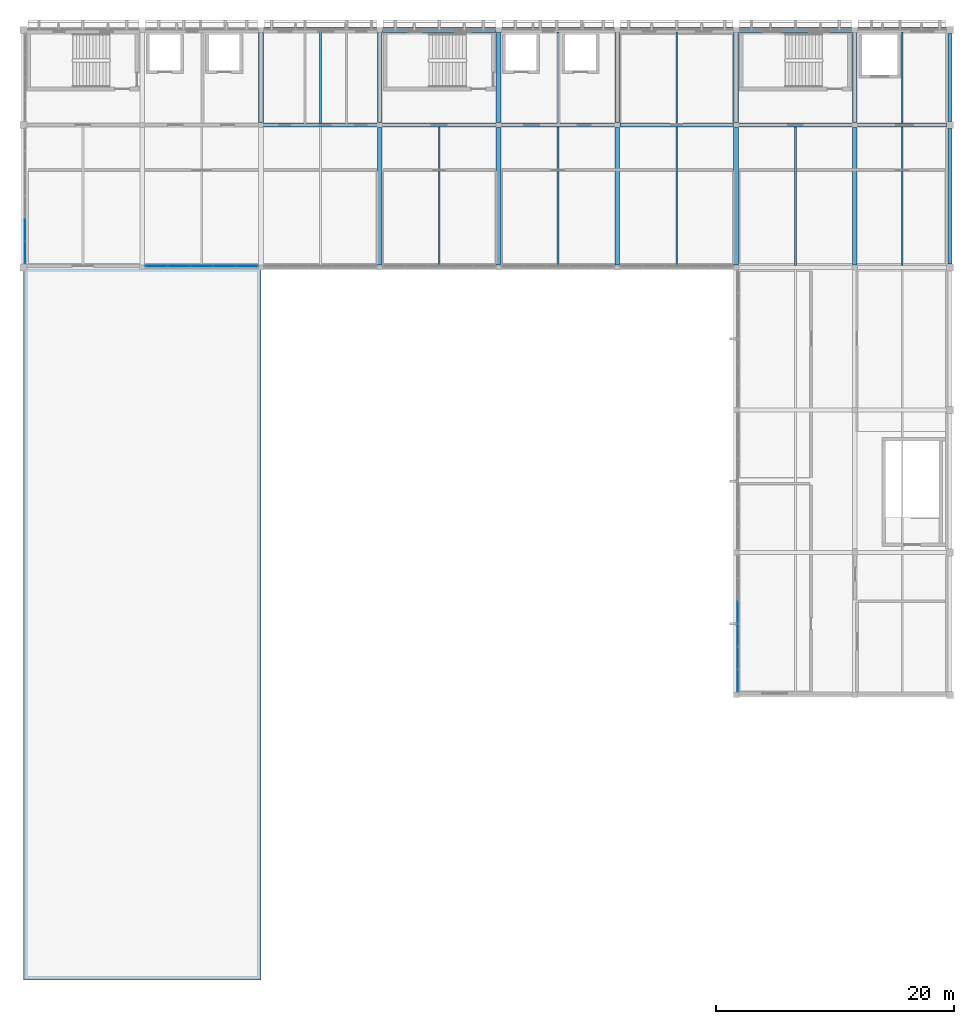
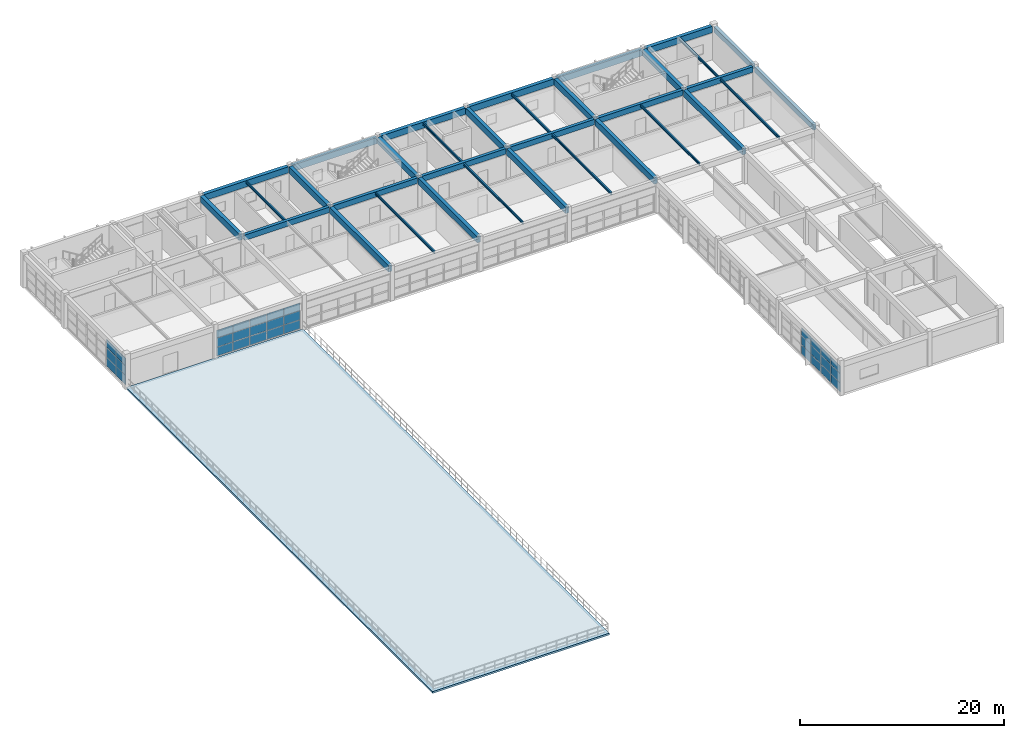
# One storey, part 10 of 21: 34 beams, 33 plates, 1 slab, 3 elements without a shape of their own.
"""IFC4 building model written with IfcOpenShell, lengths in metres."""

from ifc_helpers import new_model, si_unit, direction, frame, origin, origin_2d, place, context, subcontext, project, spatial, polyline, rectangle, i_section, outline, extrude, material, layer, layer_set, material_profile, profile_set, type_object, element, aggregate, save


model = new_model("IFC4")

# Units and contexts
model_context = context("Model", 3, precision=1e-05, world=origin(), true_north=direction((0.0, 1.0)))
body_context = subcontext(model_context, "Body", "Model", "MODEL_VIEW")
ifc_project = project(units=[si_unit("LENGTHUNIT", "METRE"), si_unit("AREAUNIT", "SQUARE_METRE"), si_unit("VOLUMEUNIT", "CUBIC_METRE"), si_unit("PLANEANGLEUNIT", "RADIAN"), si_unit("MASSUNIT", "GRAM", prefix="KILO")], contexts=[model_context])

# Site, building, storey
site_placement = place(None, origin())
site = spatial("IfcSite", under=ifc_project, at=site_placement, CompositionType="ELEMENT")
building_placement = place(site_placement, origin())
building = spatial("IfcBuilding", under=site, at=building_placement, Name="Kivolera Central Railway Station", CompositionType="ELEMENT")
storey_placement = place(building_placement, frame((0.0, 0.0, 22.800048828125)))
storey = spatial("IfcBuildingStorey", under=building, at=storey_placement, Name="L05", CompositionType="ELEMENT", Elevation=22.800048828125)

# Beams
ifc_material_1 = material(Name="Steel S355", Category="steel")
ifc_material_profile_1 = material_profile(ifc_material_1, i_section(OverallWidth=0.14990234375, OverallDepth=0.300048828125, WebThickness=0.007080078125, FlangeThickness=0.0107421875, FilletRadius=0.014892578125, at=origin_2d()), Name="IPE 300")
ifc_profile_set_1 = profile_set([ifc_material_profile_1], Name="Steel S355")
beam_type_1 = type_object("IfcBeamType", Name="BM-JST-IPE300", PredefinedType="JOIST", material=ifc_profile_set_1)
beam_1_placement = place(storey_placement, frame((143.0, 126.1669921875, 3.787841796875), z_axis=(0.0, 1.0, 0.0), x_axis=(-1.0, 0.0, 0.0)))
element("IfcBeam", 1, at=beam_1_placement, inside=storey, type_object=beam_type_1, Name="L05 Floor Joist 14-15/L-M", PredefinedType="JOIST", context=body_context, shape_type="SweptSolid", body=[
    extrude(i_section(OverallWidth=0.14990234375, OverallDepth=0.300048828125, WebThickness=0.007080078125, FlangeThickness=0.0107421875, FilletRadius=0.014892578125, at=origin_2d()), origin(), (0.0, 0.0, 1.0), 7.64111328125),
])
for number, where, z_axis, x_axis, name in (
    (2, (153.0, 114.1669921875, 3.787841796875), (0.0, 1.0, 0.0), (-1.0, 0.0, 0.0), "L05 Floor Joist 15-16/K-L"),
    (3, (163.0, 114.1669921875, 3.787841796875), (0.0, 1.0, 0.0), (-1.0, 0.0, 0.0), "L05 Floor Joist 16-17/K-L"),
):
    element("IfcBeam", number, at=place(storey_placement, frame(where, z_axis=z_axis, x_axis=x_axis)), inside=storey, type_object=beam_type_1, Name=name, PredefinedType="JOIST", context=body_context, shape_type="SweptSolid", body=[
        extrude(i_section(OverallWidth=0.14990234375, OverallDepth=0.300048828125, WebThickness=0.007080078125, FlangeThickness=0.0107421875, FilletRadius=0.014892578125, at=origin_2d()), origin(), (0.0, 0.0, 1.0), 11.666015625),
    ])
beam_2_placement = place(storey_placement, frame((163.0, 126.1669921875, 3.787841796875), z_axis=(0.0, 1.0, 0.0), x_axis=(-1.0, 0.0, 0.0)))
element("IfcBeam", 4, at=beam_2_placement, inside=storey, type_object=beam_type_1, Name="L05 Floor Joist 16-17/L-M", PredefinedType="JOIST", context=body_context, shape_type="SweptSolid", body=[
    extrude(i_section(OverallWidth=0.14990234375, OverallDepth=0.300048828125, WebThickness=0.007080078125, FlangeThickness=0.0107421875, FilletRadius=0.014892578125, at=origin_2d()), origin(), (0.0, 0.0, 1.0), 7.64111328125),
])
beam_3_placement = place(storey_placement, frame((173.0, 114.1669921875, 3.787841796875), z_axis=(0.0, 1.0, 0.0), x_axis=(-1.0, 0.0, 0.0)))
element("IfcBeam", 5, at=beam_3_placement, inside=storey, type_object=beam_type_1, Name="L05 Floor Joist 17-18/K-L", PredefinedType="JOIST", context=body_context, shape_type="SweptSolid", body=[
    extrude(i_section(OverallWidth=0.14990234375, OverallDepth=0.300048828125, WebThickness=0.007080078125, FlangeThickness=0.0107421875, FilletRadius=0.014892578125, at=origin_2d()), origin(), (0.0, 0.0, 1.0), 11.666015625),
])
beam_4_placement = place(storey_placement, frame((173.0, 126.1669921875, 3.787841796875), z_axis=(0.0, 1.0, 0.0), x_axis=(-1.0, 0.0, 0.0)))
element("IfcBeam", 6, at=beam_4_placement, inside=storey, type_object=beam_type_1, Name="L05 Floor Joist 17-18/L-M", PredefinedType="JOIST", context=body_context, shape_type="SweptSolid", body=[
    extrude(i_section(OverallWidth=0.14990234375, OverallDepth=0.300048828125, WebThickness=0.007080078125, FlangeThickness=0.0107421875, FilletRadius=0.014892578125, at=origin_2d()), origin(), (0.0, 0.0, 1.0), 7.64111328125),
])
for number, where, z_axis, x_axis, name in (
    (7, (183.0, 114.1669921875, 3.787841796875), (0.0, 1.0, 0.0), (-1.0, 0.0, 0.0), "L05 Floor Joist 18-19/K-L"),
    (8, (192.0, 114.1669921875, 3.787841796875), (0.0, 1.0, 0.0), (-1.0, 0.0, 0.0), "L05 Floor Joist 19-20/K-L"),
):
    element("IfcBeam", number, at=place(storey_placement, frame(where, z_axis=z_axis, x_axis=x_axis)), inside=storey, type_object=beam_type_1, Name=name, PredefinedType="JOIST", context=body_context, shape_type="SweptSolid", body=[
        extrude(i_section(OverallWidth=0.14990234375, OverallDepth=0.300048828125, WebThickness=0.007080078125, FlangeThickness=0.0107421875, FilletRadius=0.014892578125, at=origin_2d()), origin(), (0.0, 0.0, 1.0), 11.666015625),
    ])
beam_5_placement = place(storey_placement, frame((192.0, 126.1669921875, 3.787841796875), z_axis=(0.0, 1.0, 0.0), x_axis=(-1.0, 0.0, 0.0)))
element("IfcBeam", 9, at=beam_5_placement, inside=storey, type_object=beam_type_1, Name="L05 Floor Joist 19-20/L-M", PredefinedType="JOIST", context=body_context, shape_type="SweptSolid", body=[
    extrude(i_section(OverallWidth=0.14990234375, OverallDepth=0.300048828125, WebThickness=0.007080078125, FlangeThickness=0.0107421875, FilletRadius=0.014892578125, at=origin_2d()), origin(), (0.0, 0.0, 1.0), 7.64111328125),
])
ifc_material_2 = material(Name="Concrete C40/50", Category="concrete")
ifc_material_profile_2 = material_profile(ifc_material_2, rectangle(XDim=0.35009765625, YDim=0.64990234375, at=origin_2d()), Name="RC 350x650")
ifc_profile_set_2 = profile_set([ifc_material_profile_2], Name="Concrete C40/50")
beam_type_2 = type_object("IfcBeamType", Name="BM-RC-350x650", PredefinedType="BEAM", material=ifc_profile_set_2)
for number, where, z_axis, x_axis, name in (
    (10, (138.217041015625, 126.0, 3.625), (1.0, 0.0, 0.0), (0.0, 1.0, 0.0), "L05 Wing X-Beam L:14-15"),
    (11, (148.217041015625, 126.0, 3.625), (1.0, 0.0, 0.0), (0.0, 1.0, 0.0), "L05 Wing X-Beam L:15-16"),
    (12, (158.217041015625, 126.0, 3.625), (1.0, 0.0, 0.0), (0.0, 1.0, 0.0), "L05 Wing X-Beam L:16-17"),
    (13, (168.217041015625, 126.0, 3.625), (1.0, 0.0, 0.0), (0.0, 1.0, 0.0), "L05 Wing X-Beam L:17-18"),
    (14, (178.217041015625, 126.0, 3.625), (1.0, 0.0, 0.0), (0.0, 1.0, 0.0), "L05 Wing X-Beam L:18-19"),
):
    element("IfcBeam", number, at=place(storey_placement, frame(where, z_axis=z_axis, x_axis=x_axis)), inside=storey, type_object=beam_type_2, Name=name, PredefinedType="BEAM", context=body_context, shape_type="SweptSolid", body=[
        extrude(rectangle(XDim=0.35009765625, YDim=0.64990234375, at=origin_2d()), origin(), (0.0, 0.0, 1.0), 9.56591796875),
    ])
beam_6_placement = place(storey_placement, frame((188.217041015625, 126.0, 3.625), z_axis=(1.0, 0.0, 0.0), x_axis=(0.0, 1.0, 0.0)))
element("IfcBeam", 15, at=beam_6_placement, inside=storey, type_object=beam_type_2, Name="L05 Wing X-Beam L:19-20", PredefinedType="BEAM", context=body_context, shape_type="SweptSolid", body=[
    extrude(rectangle(XDim=0.35009765625, YDim=0.64990234375, at=origin_2d()), origin(), (0.0, 0.0, 1.0), 7.490966796875),
])
ifc_material_profile_3 = material_profile(ifc_material_2, rectangle(XDim=0.39990234375, YDim=0.75, at=origin_2d()), Name="RC 400x750")
ifc_profile_set_3 = profile_set([ifc_material_profile_3], Name="Concrete C40/50")
beam_type_3 = type_object("IfcBeamType", Name="BM-RC-400x750", PredefinedType="BEAM", material=ifc_profile_set_3)
beam_7_placement = place(storey_placement, frame((138.0, 126.217041015625, 3.574951171875), z_axis=(0.0, 1.0, 0.0), x_axis=(-1.0, 0.0, 0.0)))
element("IfcBeam", 16, at=beam_7_placement, inside=storey, type_object=beam_type_3, Name="L05 Wing Y-Beam 14:L-M", PredefinedType="BEAM", context=body_context, shape_type="SweptSolid", body=[
    extrude(rectangle(XDim=0.39990234375, YDim=0.75, at=origin_2d()), origin(), (0.0, 0.0, 1.0), 7.56591796875),
])
beam_8_placement = place(storey_placement, frame((148.0, 114.217041015625, 3.574951171875), z_axis=(0.0, 1.0, 0.0), x_axis=(-1.0, 0.0, 0.0)))
element("IfcBeam", 17, at=beam_8_placement, inside=storey, type_object=beam_type_3, Name="L05 Wing Y-Beam 15:K-L", PredefinedType="BEAM", context=body_context, shape_type="SweptSolid", body=[
    extrude(rectangle(XDim=0.39990234375, YDim=0.75, at=origin_2d()), origin(), (0.0, 0.0, 1.0), 11.56591796875),
])
beam_9_placement = place(storey_placement, frame((148.0, 126.217041015625, 3.574951171875), z_axis=(0.0, 1.0, 0.0), x_axis=(-1.0, 0.0, 0.0)))
element("IfcBeam", 18, at=beam_9_placement, inside=storey, type_object=beam_type_3, Name="L05 Wing Y-Beam 15:L-M", PredefinedType="BEAM", context=body_context, shape_type="SweptSolid", body=[
    extrude(rectangle(XDim=0.39990234375, YDim=0.75, at=origin_2d()), origin(), (0.0, 0.0, 1.0), 7.56591796875),
])
beam_10_placement = place(storey_placement, frame((158.0, 114.217041015625, 3.574951171875), z_axis=(0.0, 1.0, 0.0), x_axis=(-1.0, 0.0, 0.0)))
element("IfcBeam", 19, at=beam_10_placement, inside=storey, type_object=beam_type_3, Name="L05 Wing Y-Beam 16:K-L", PredefinedType="BEAM", context=body_context, shape_type="SweptSolid", body=[
    extrude(rectangle(XDim=0.39990234375, YDim=0.75, at=origin_2d()), origin(), (0.0, 0.0, 1.0), 11.56591796875),
])
beam_11_placement = place(storey_placement, frame((158.0, 126.217041015625, 3.574951171875), z_axis=(0.0, 1.0, 0.0), x_axis=(-1.0, 0.0, 0.0)))
element("IfcBeam", 20, at=beam_11_placement, inside=storey, type_object=beam_type_3, Name="L05 Wing Y-Beam 16:L-M", PredefinedType="BEAM", context=body_context, shape_type="SweptSolid", body=[
    extrude(rectangle(XDim=0.39990234375, YDim=0.75, at=origin_2d()), origin(), (0.0, 0.0, 1.0), 7.56591796875),
])
beam_12_placement = place(storey_placement, frame((168.0, 114.217041015625, 3.574951171875), z_axis=(0.0, 1.0, 0.0), x_axis=(-1.0, 0.0, 0.0)))
element("IfcBeam", 21, at=beam_12_placement, inside=storey, type_object=beam_type_3, Name="L05 Wing Y-Beam 17:K-L", PredefinedType="BEAM", context=body_context, shape_type="SweptSolid", body=[
    extrude(rectangle(XDim=0.39990234375, YDim=0.75, at=origin_2d()), origin(), (0.0, 0.0, 1.0), 11.56591796875),
])
beam_13_placement = place(storey_placement, frame((168.0, 126.217041015625, 3.574951171875), z_axis=(0.0, 1.0, 0.0), x_axis=(-1.0, 0.0, 0.0)))
element("IfcBeam", 22, at=beam_13_placement, inside=storey, type_object=beam_type_3, Name="L05 Wing Y-Beam 17:L-M", PredefinedType="BEAM", context=body_context, shape_type="SweptSolid", body=[
    extrude(rectangle(XDim=0.39990234375, YDim=0.75, at=origin_2d()), origin(), (0.0, 0.0, 1.0), 7.56591796875),
])
beam_14_placement = place(storey_placement, frame((178.0, 114.217041015625, 3.574951171875), z_axis=(0.0, 1.0, 0.0), x_axis=(-1.0, 0.0, 0.0)))
element("IfcBeam", 23, at=beam_14_placement, inside=storey, type_object=beam_type_3, Name="L05 Wing Y-Beam 18:K-L", PredefinedType="BEAM", context=body_context, shape_type="SweptSolid", body=[
    extrude(rectangle(XDim=0.39990234375, YDim=0.75, at=origin_2d()), origin(), (0.0, 0.0, 1.0), 11.56591796875),
])
beam_15_placement = place(storey_placement, frame((178.0, 126.217041015625, 3.574951171875), z_axis=(0.0, 1.0, 0.0), x_axis=(-1.0, 0.0, 0.0)))
element("IfcBeam", 24, at=beam_15_placement, inside=storey, type_object=beam_type_3, Name="L05 Wing Y-Beam 18:L-M", PredefinedType="BEAM", context=body_context, shape_type="SweptSolid", body=[
    extrude(rectangle(XDim=0.39990234375, YDim=0.75, at=origin_2d()), origin(), (0.0, 0.0, 1.0), 7.56591796875),
])
beam_16_placement = place(storey_placement, frame((188.0, 114.217041015625, 3.574951171875), z_axis=(0.0, 1.0, 0.0), x_axis=(-1.0, 0.0, 0.0)))
element("IfcBeam", 25, at=beam_16_placement, inside=storey, type_object=beam_type_3, Name="L05 Wing Y-Beam 19:K-L", PredefinedType="BEAM", context=body_context, shape_type="SweptSolid", body=[
    extrude(rectangle(XDim=0.39990234375, YDim=0.75, at=origin_2d()), origin(), (0.0, 0.0, 1.0), 11.56591796875),
])
beam_17_placement = place(storey_placement, frame((188.0, 126.217041015625, 3.574951171875), z_axis=(0.0, 1.0, 0.0), x_axis=(-1.0, 0.0, 0.0)))
element("IfcBeam", 26, at=beam_17_placement, inside=storey, type_object=beam_type_3, Name="L05 Wing Y-Beam 19:L-M", PredefinedType="BEAM", context=body_context, shape_type="SweptSolid", body=[
    extrude(rectangle(XDim=0.39990234375, YDim=0.75, at=origin_2d()), origin(), (0.0, 0.0, 1.0), 7.56591796875),
])
ifc_material_profile_4 = material_profile(ifc_material_2, rectangle(XDim=0.35009765625, YDim=0.64990234375, at=origin_2d()), Name="RC 350x650")
ifc_profile_set_4 = profile_set([ifc_material_profile_4], Name="Concrete C40/50")
beam_type_4 = type_object("IfcBeamType", Name="BM-SPN-RC650", PredefinedType="SPANDREL", material=ifc_profile_set_4)
beam_18_placement = place(storey_placement, frame((196.0, 114.2919921875, 3.625), z_axis=(0.0, 1.0, 0.0), x_axis=(-1.0, 0.0, 0.0)))
element("IfcBeam", 27, at=beam_18_placement, inside=storey, type_object=beam_type_4, Name="L05 Wing Y-Beam 20:K-L", PredefinedType="SPANDREL", context=body_context, shape_type="SweptSolid", body=[
    extrude(rectangle(XDim=0.35009765625, YDim=0.64990234375, at=origin_2d()), origin(), (0.0, 0.0, 1.0), 11.416015625),
])
beam_19_placement = place(storey_placement, frame((196.0, 126.2919921875, 3.625), z_axis=(0.0, 1.0, 0.0), x_axis=(-1.0, 0.0, 0.0)))
element("IfcBeam", 28, at=beam_19_placement, inside=storey, type_object=beam_type_4, Name="L05 Wing Y-Beam 20:L-M", PredefinedType="SPANDREL", context=body_context, shape_type="SweptSolid", body=[
    extrude(rectangle(XDim=0.35009765625, YDim=0.64990234375, at=origin_2d()), origin(), (0.0, 0.0, 1.0), 7.416015625),
])
ifc_material_profile_5 = material_profile(ifc_material_2, rectangle(XDim=0.39990234375, YDim=0.75, at=origin_2d()), Name="RC 400x750")
ifc_profile_set_5 = profile_set([ifc_material_profile_5], Name="Concrete C40/50")
beam_type_5 = type_object("IfcBeamType", Name="BM-SPN-RC750", PredefinedType="SPANDREL", material=ifc_profile_set_5)
for number, where, z_axis, x_axis, name in (
    (29, (138.217041015625, 134.0, 3.574951171875), (1.0, 0.0, 0.0), (0.0, 1.0, 0.0), "L05 Wing X-Beam M:14-15"),
    (30, (148.217041015625, 134.0, 3.574951171875), (1.0, 0.0, 0.0), (0.0, 1.0, 0.0), "L05 Wing X-Beam M:15-16"),
    (31, (158.217041015625, 134.0, 3.574951171875), (1.0, 0.0, 0.0), (0.0, 1.0, 0.0), "L05 Wing X-Beam M:16-17"),
    (32, (168.217041015625, 134.0, 3.574951171875), (1.0, 0.0, 0.0), (0.0, 1.0, 0.0), "L05 Wing X-Beam M:17-18"),
    (33, (178.217041015625, 134.0, 3.574951171875), (1.0, 0.0, 0.0), (0.0, 1.0, 0.0), "L05 Wing X-Beam M:18-19"),
):
    element("IfcBeam", number, at=place(storey_placement, frame(where, z_axis=z_axis, x_axis=x_axis)), inside=storey, type_object=beam_type_5, Name=name, PredefinedType="SPANDREL", context=body_context, shape_type="SweptSolid", body=[
        extrude(rectangle(XDim=0.39990234375, YDim=0.75, at=origin_2d()), origin(), (0.0, 0.0, 1.0), 9.56591796875),
    ])
beam_20_placement = place(storey_placement, frame((188.217041015625, 134.0, 3.574951171875), z_axis=(1.0, 0.0, 0.0), x_axis=(0.0, 1.0, 0.0)))
element("IfcBeam", 34, at=beam_20_placement, inside=storey, type_object=beam_type_5, Name="L05 Wing X-Beam M:19-20", PredefinedType="SPANDREL", context=body_context, shape_type="SweptSolid", body=[
    extrude(rectangle(XDim=0.39990234375, YDim=0.75, at=origin_2d()), origin(), (0.0, 0.0, 1.0), 7.490966796875),
])

# Curtain wall, plates
ifc_material_3 = material(Name="Anodised aluminium", Category="aluminium")
ifc_layer_1 = layer(ifc_material_3, 0.179931640625, Name="Anodised aluminium")
ifc_layer_set_1 = layer_set([ifc_layer_1], Name="Anodised aluminium")
curtain_wall_type_1 = type_object("IfcCurtainWallType", Name="CW-SYS-35", PredefinedType="NOTDEFINED", material=ifc_layer_set_1)
curtain_wall_1_placement = place(storey_placement, origin())
curtain_wall_1 = element("IfcCurtainWall", 35, at=curtain_wall_1_placement, inside=storey, type_object=curtain_wall_type_1, Name="L05 Curtain Wall CW-L05-CRTE-G", PredefinedType="NOTDEFINED")
ifc_material_4 = material(Name="Double low-E laminated glass", Category="glass")
ifc_layer_2 = layer(ifc_material_4, 0.030029296875, Name="Double low-E laminated glass")
ifc_layer_set_2 = layer_set([ifc_layer_2], Name="Double low-E laminated glass")
plate_type_1 = type_object("IfcPlateType", Name="CWP-GLZ-2", PredefinedType="CURTAIN_PANEL", material=ifc_layer_set_2)
plate_1_placement = place(storey_placement, frame((178.135009765625, 79.1982421875, 0.0478515625), z_axis=(0.0, 0.0, 1.0), x_axis=(0.0, 1.0, 0.0)))
plate_1 = element("IfcPlate", 36, at=plate_1_placement, type_object=plate_type_1, Name="CW-35 panel 1.1", PredefinedType="CURTAIN_PANEL", context=body_context, shape_type="SweptSolid", body=[
    extrude(rectangle(XDim=1.860595703125, YDim=0.030029296875, at=origin_2d()), origin(), (0.0, 0.0, 1.0), 1.0498046875),
])
plate_2_placement = place(storey_placement, frame((178.135009765625, 79.1982421875, 1.1337890625), z_axis=(0.0, 0.0, 1.0), x_axis=(0.0, 1.0, 0.0)))
plate_2 = element("IfcPlate", 37, at=plate_2_placement, type_object=plate_type_1, Name="CW-35 panel 1.2", PredefinedType="CURTAIN_PANEL", context=body_context, shape_type="SweptSolid", body=[
    extrude(rectangle(XDim=1.860595703125, YDim=0.030029296875, at=origin_2d()), origin(), (0.0, 0.0, 1.0), 1.079833984375),
])
plate_3_placement = place(storey_placement, frame((178.135009765625, 79.1982421875, 2.24951171875), z_axis=(0.0, 0.0, 1.0), x_axis=(0.0, 1.0, 0.0)))
plate_3 = element("IfcPlate", 38, at=plate_3_placement, type_object=plate_type_1, Name="CW-35 panel 1.3", PredefinedType="CURTAIN_PANEL", context=body_context, shape_type="SweptSolid", body=[
    extrude(rectangle(XDim=1.860595703125, YDim=0.030029296875, at=origin_2d()), origin(), (0.0, 0.0, 1.0), 0.890380859375),
])
plate_4_placement = place(storey_placement, frame((178.135009765625, 81.110107421875, 0.0478515625), z_axis=(0.0, 0.0, 1.0), x_axis=(0.0, 1.0, 0.0)))
plate_4 = element("IfcPlate", 39, at=plate_4_placement, type_object=plate_type_1, Name="CW-35 panel 2.1", PredefinedType="CURTAIN_PANEL", context=body_context, shape_type="SweptSolid", body=[
    extrude(rectangle(XDim=1.890625, YDim=0.030029296875, at=origin_2d()), origin(), (0.0, 0.0, 1.0), 1.0498046875),
])
plate_5_placement = place(storey_placement, frame((178.135009765625, 81.110107421875, 1.1337890625), z_axis=(0.0, 0.0, 1.0), x_axis=(0.0, 1.0, 0.0)))
plate_5 = element("IfcPlate", 40, at=plate_5_placement, type_object=plate_type_1, Name="CW-35 panel 2.2", PredefinedType="CURTAIN_PANEL", context=body_context, shape_type="SweptSolid", body=[
    extrude(rectangle(XDim=1.890625, YDim=0.030029296875, at=origin_2d()), origin(), (0.0, 0.0, 1.0), 1.079833984375),
])
plate_6_placement = place(storey_placement, frame((178.135009765625, 81.110107421875, 2.24951171875), z_axis=(0.0, 0.0, 1.0), x_axis=(0.0, 1.0, 0.0)))
plate_6 = element("IfcPlate", 41, at=plate_6_placement, type_object=plate_type_1, Name="CW-35 panel 2.3", PredefinedType="CURTAIN_PANEL", context=body_context, shape_type="SweptSolid", body=[
    extrude(rectangle(XDim=1.890625, YDim=0.030029296875, at=origin_2d()), origin(), (0.0, 0.0, 1.0), 0.890380859375),
])
plate_7_placement = place(storey_placement, frame((178.135009765625, 83.03662109375, 0.0478515625), z_axis=(0.0, 0.0, 1.0), x_axis=(0.0, 1.0, 0.0)))
plate_7 = element("IfcPlate", 42, at=plate_7_placement, type_object=plate_type_1, Name="CW-35 panel 3.1", PredefinedType="CURTAIN_PANEL", context=body_context, shape_type="SweptSolid", body=[
    extrude(rectangle(XDim=1.890625, YDim=0.030029296875, at=origin_2d()), origin(), (0.0, 0.0, 1.0), 1.0498046875),
])
plate_8_placement = place(storey_placement, frame((178.135009765625, 83.03662109375, 1.1337890625), z_axis=(0.0, 0.0, 1.0), x_axis=(0.0, 1.0, 0.0)))
plate_8 = element("IfcPlate", 43, at=plate_8_placement, type_object=plate_type_1, Name="CW-35 panel 3.2", PredefinedType="CURTAIN_PANEL", context=body_context, shape_type="SweptSolid", body=[
    extrude(rectangle(XDim=1.890625, YDim=0.030029296875, at=origin_2d()), origin(), (0.0, 0.0, 1.0), 1.079833984375),
])
plate_9_placement = place(storey_placement, frame((178.135009765625, 83.03662109375, 2.24951171875), z_axis=(0.0, 0.0, 1.0), x_axis=(0.0, 1.0, 0.0)))
plate_9 = element("IfcPlate", 44, at=plate_9_placement, type_object=plate_type_1, Name="CW-35 panel 3.3", PredefinedType="CURTAIN_PANEL", context=body_context, shape_type="SweptSolid", body=[
    extrude(rectangle(XDim=1.890625, YDim=0.030029296875, at=origin_2d()), origin(), (0.0, 0.0, 1.0), 0.890380859375),
])
plate_10_placement = place(storey_placement, frame((178.135009765625, 84.96337890625, 0.0478515625), z_axis=(0.0, 0.0, 1.0), x_axis=(0.0, 1.0, 0.0)))
plate_10 = element("IfcPlate", 45, at=plate_10_placement, type_object=plate_type_1, Name="CW-35 panel 4.1", PredefinedType="CURTAIN_PANEL", context=body_context, shape_type="SweptSolid", body=[
    extrude(rectangle(XDim=1.890625, YDim=0.030029296875, at=origin_2d()), origin(), (0.0, 0.0, 1.0), 1.0498046875),
])
plate_11_placement = place(storey_placement, frame((178.135009765625, 84.96337890625, 1.1337890625), z_axis=(0.0, 0.0, 1.0), x_axis=(0.0, 1.0, 0.0)))
plate_11 = element("IfcPlate", 46, at=plate_11_placement, type_object=plate_type_1, Name="CW-35 panel 4.2", PredefinedType="CURTAIN_PANEL", context=body_context, shape_type="SweptSolid", body=[
    extrude(rectangle(XDim=1.890625, YDim=0.030029296875, at=origin_2d()), origin(), (0.0, 0.0, 1.0), 1.079833984375),
])
plate_12_placement = place(storey_placement, frame((178.135009765625, 84.96337890625, 2.24951171875), z_axis=(0.0, 0.0, 1.0), x_axis=(0.0, 1.0, 0.0)))
plate_12 = element("IfcPlate", 47, at=plate_12_placement, type_object=plate_type_1, Name="CW-35 panel 4.3", PredefinedType="CURTAIN_PANEL", context=body_context, shape_type="SweptSolid", body=[
    extrude(rectangle(XDim=1.890625, YDim=0.030029296875, at=origin_2d()), origin(), (0.0, 0.0, 1.0), 0.890380859375),
])
aggregate(curtain_wall_1, [plate_1, plate_2, plate_3, plate_4, plate_5, plate_6, plate_7, plate_8, plate_9, plate_10, plate_11, plate_12])

ifc_layer_3 = layer(ifc_material_3, 0.179931640625, Name="Anodised aluminium")
ifc_layer_set_3 = layer_set([ifc_layer_3], Name="Anodised aluminium")
curtain_wall_type_2 = type_object("IfcCurtainWallType", Name="CW-SYS-34", PredefinedType="NOTDEFINED", material=ifc_layer_set_3)
curtain_wall_2_placement = place(storey_placement, origin())
curtain_wall_2 = element("IfcCurtainWall", 48, at=curtain_wall_2_placement, inside=storey, type_object=curtain_wall_type_2, Name="L05 Curtain Wall CW-L05-CRTN-128", PredefinedType="NOTDEFINED")
ifc_layer_4 = layer(ifc_material_4, 0.033935546875, Name="Double low-E laminated glass")
ifc_layer_set_4 = layer_set([ifc_layer_4], Name="Double low-E laminated glass")
plate_type_2 = type_object("IfcPlateType", Name="CWP-GLZ-3", PredefinedType="CURTAIN_PANEL", material=ifc_layer_set_4)
plate_13_placement = place(storey_placement, frame((136.80908203125, 114.135009765625, 0.0478515625), z_axis=(0.0, 0.0, 1.0), x_axis=(-1.0, 0.0, 0.0)))
plate_13 = element("IfcPlate", 49, at=plate_13_placement, type_object=plate_type_2, Name="CW-34 panel 1.1", PredefinedType="CURTAIN_PANEL", context=body_context, shape_type="SweptSolid", body=[
    extrude(rectangle(XDim=1.845947265625, YDim=0.033935546875, at=origin_2d()), origin(), (0.0, 0.0, 1.0), 1.0498046875),
])
plate_14_placement = place(storey_placement, frame((136.80908203125, 114.135009765625, 1.1337890625), z_axis=(0.0, 0.0, 1.0), x_axis=(-1.0, 0.0, 0.0)))
plate_14 = element("IfcPlate", 50, at=plate_14_placement, type_object=plate_type_2, Name="CW-34 panel 1.2", PredefinedType="CURTAIN_PANEL", context=body_context, shape_type="SweptSolid", body=[
    extrude(rectangle(XDim=1.845947265625, YDim=0.033935546875, at=origin_2d()), origin(), (0.0, 0.0, 1.0), 1.079833984375),
])
plate_15_placement = place(storey_placement, frame((136.80908203125, 114.135009765625, 2.24951171875), z_axis=(0.0, 0.0, 1.0), x_axis=(-1.0, 0.0, 0.0)))
plate_15 = element("IfcPlate", 51, at=plate_15_placement, type_object=plate_type_2, Name="CW-34 panel 1.3", PredefinedType="CURTAIN_PANEL", context=body_context, shape_type="SweptSolid", body=[
    extrude(rectangle(XDim=1.845947265625, YDim=0.033935546875, at=origin_2d()), origin(), (0.0, 0.0, 1.0), 0.890380859375),
])
plate_16_placement = place(storey_placement, frame((134.912109375, 114.135009765625, 0.0478515625), z_axis=(0.0, 0.0, 1.0), x_axis=(-1.0, 0.0, 0.0)))
plate_16 = element("IfcPlate", 52, at=plate_16_placement, type_object=plate_type_2, Name="CW-34 panel 2.1", PredefinedType="CURTAIN_PANEL", context=body_context, shape_type="SweptSolid", body=[
    extrude(rectangle(XDim=1.8759765625, YDim=0.033935546875, at=origin_2d()), origin(), (0.0, 0.0, 1.0), 1.0498046875),
])
plate_17_placement = place(storey_placement, frame((134.912109375, 114.135009765625, 1.1337890625), z_axis=(0.0, 0.0, 1.0), x_axis=(-1.0, 0.0, 0.0)))
plate_17 = element("IfcPlate", 53, at=plate_17_placement, type_object=plate_type_2, Name="CW-34 panel 2.2", PredefinedType="CURTAIN_PANEL", context=body_context, shape_type="SweptSolid", body=[
    extrude(rectangle(XDim=1.8759765625, YDim=0.033935546875, at=origin_2d()), origin(), (0.0, 0.0, 1.0), 1.079833984375),
])
plate_18_placement = place(storey_placement, frame((134.912109375, 114.135009765625, 2.24951171875), z_axis=(0.0, 0.0, 1.0), x_axis=(-1.0, 0.0, 0.0)))
plate_18 = element("IfcPlate", 54, at=plate_18_placement, type_object=plate_type_2, Name="CW-34 panel 2.3", PredefinedType="CURTAIN_PANEL", context=body_context, shape_type="SweptSolid", body=[
    extrude(rectangle(XDim=1.8759765625, YDim=0.033935546875, at=origin_2d()), origin(), (0.0, 0.0, 1.0), 0.890380859375),
])
plate_19_placement = place(storey_placement, frame((133.0, 114.135009765625, 0.0478515625), z_axis=(0.0, 0.0, 1.0), x_axis=(-1.0, 0.0, 0.0)))
plate_19 = element("IfcPlate", 55, at=plate_19_placement, type_object=plate_type_2, Name="CW-34 panel 3.1", PredefinedType="CURTAIN_PANEL", context=body_context, shape_type="SweptSolid", body=[
    extrude(rectangle(XDim=1.8759765625, YDim=0.033935546875, at=origin_2d()), origin(), (0.0, 0.0, 1.0), 1.0498046875),
])
plate_20_placement = place(storey_placement, frame((133.0, 114.135009765625, 1.1337890625), z_axis=(0.0, 0.0, 1.0), x_axis=(-1.0, 0.0, 0.0)))
plate_20 = element("IfcPlate", 56, at=plate_20_placement, type_object=plate_type_2, Name="CW-34 panel 3.2", PredefinedType="CURTAIN_PANEL", context=body_context, shape_type="SweptSolid", body=[
    extrude(rectangle(XDim=1.8759765625, YDim=0.033935546875, at=origin_2d()), origin(), (0.0, 0.0, 1.0), 1.079833984375),
])
plate_21_placement = place(storey_placement, frame((133.0, 114.135009765625, 2.24951171875), z_axis=(0.0, 0.0, 1.0), x_axis=(-1.0, 0.0, 0.0)))
plate_21 = element("IfcPlate", 57, at=plate_21_placement, type_object=plate_type_2, Name="CW-34 panel 3.3", PredefinedType="CURTAIN_PANEL", context=body_context, shape_type="SweptSolid", body=[
    extrude(rectangle(XDim=1.8759765625, YDim=0.033935546875, at=origin_2d()), origin(), (0.0, 0.0, 1.0), 0.890380859375),
])
plate_22_placement = place(storey_placement, frame((131.087890625, 114.135009765625, 0.0478515625), z_axis=(0.0, 0.0, 1.0), x_axis=(-1.0, 0.0, 0.0)))
plate_22 = element("IfcPlate", 58, at=plate_22_placement, type_object=plate_type_2, Name="CW-34 panel 4.1", PredefinedType="CURTAIN_PANEL", context=body_context, shape_type="SweptSolid", body=[
    extrude(rectangle(XDim=1.8759765625, YDim=0.033935546875, at=origin_2d()), origin(), (0.0, 0.0, 1.0), 1.0498046875),
])
plate_23_placement = place(storey_placement, frame((131.087890625, 114.135009765625, 1.1337890625), z_axis=(0.0, 0.0, 1.0), x_axis=(-1.0, 0.0, 0.0)))
plate_23 = element("IfcPlate", 59, at=plate_23_placement, type_object=plate_type_2, Name="CW-34 panel 4.2", PredefinedType="CURTAIN_PANEL", context=body_context, shape_type="SweptSolid", body=[
    extrude(rectangle(XDim=1.8759765625, YDim=0.033935546875, at=origin_2d()), origin(), (0.0, 0.0, 1.0), 1.079833984375),
])
plate_24_placement = place(storey_placement, frame((131.087890625, 114.135009765625, 2.24951171875), z_axis=(0.0, 0.0, 1.0), x_axis=(-1.0, 0.0, 0.0)))
plate_24 = element("IfcPlate", 60, at=plate_24_placement, type_object=plate_type_2, Name="CW-34 panel 4.3", PredefinedType="CURTAIN_PANEL", context=body_context, shape_type="SweptSolid", body=[
    extrude(rectangle(XDim=1.8759765625, YDim=0.033935546875, at=origin_2d()), origin(), (0.0, 0.0, 1.0), 0.890380859375),
])
plate_25_placement = place(storey_placement, frame((129.19091796875, 114.135009765625, 0.0478515625), z_axis=(0.0, 0.0, 1.0), x_axis=(-1.0, 0.0, 0.0)))
plate_25 = element("IfcPlate", 61, at=plate_25_placement, type_object=plate_type_2, Name="CW-34 panel 5.1", PredefinedType="CURTAIN_PANEL", context=body_context, shape_type="SweptSolid", body=[
    extrude(rectangle(XDim=1.845947265625, YDim=0.033935546875, at=origin_2d()), origin(), (0.0, 0.0, 1.0), 1.0498046875),
])
plate_26_placement = place(storey_placement, frame((129.19091796875, 114.135009765625, 1.1337890625), z_axis=(0.0, 0.0, 1.0), x_axis=(-1.0, 0.0, 0.0)))
plate_26 = element("IfcPlate", 62, at=plate_26_placement, type_object=plate_type_2, Name="CW-34 panel 5.2", PredefinedType="CURTAIN_PANEL", context=body_context, shape_type="SweptSolid", body=[
    extrude(rectangle(XDim=1.845947265625, YDim=0.033935546875, at=origin_2d()), origin(), (0.0, 0.0, 1.0), 1.079833984375),
])
plate_27_placement = place(storey_placement, frame((129.19091796875, 114.135009765625, 2.24951171875), z_axis=(0.0, 0.0, 1.0), x_axis=(-1.0, 0.0, 0.0)))
plate_27 = element("IfcPlate", 63, at=plate_27_placement, type_object=plate_type_2, Name="CW-34 panel 5.3", PredefinedType="CURTAIN_PANEL", context=body_context, shape_type="SweptSolid", body=[
    extrude(rectangle(XDim=1.845947265625, YDim=0.033935546875, at=origin_2d()), origin(), (0.0, 0.0, 1.0), 0.890380859375),
])
aggregate(curtain_wall_2, [plate_13, plate_14, plate_15, plate_16, plate_17, plate_18, plate_19, plate_20, plate_21, plate_22, plate_23, plate_24, plate_25, plate_26, plate_27])

ifc_layer_5 = layer(ifc_material_3, 0.179931640625, Name="Anodised aluminium")
ifc_layer_set_5 = layer_set([ifc_layer_5], Name="Anodised aluminium")
curtain_wall_type_3 = type_object("IfcCurtainWallType", Name="CW-SYS-33", PredefinedType="NOTDEFINED", material=ifc_layer_set_5)
curtain_wall_3_placement = place(storey_placement, origin())
curtain_wall_3 = element("IfcCurtainWall", 64, at=curtain_wall_3_placement, inside=storey, type_object=curtain_wall_type_3, Name="L05 Curtain Wall CW-L05-WEST-K", PredefinedType="NOTDEFINED")
ifc_layer_6 = layer(ifc_material_4, 0.0419921875, Name="Double low-E laminated glass")
ifc_layer_set_6 = layer_set([ifc_layer_6], Name="Double low-E laminated glass")
plate_type_3 = type_object("IfcPlateType", Name="CWP-GLZ-5", PredefinedType="CURTAIN_PANEL", material=ifc_layer_set_6)
plate_28_placement = place(storey_placement, frame((118.135009765625, 115.2607421875, 0.0478515625), z_axis=(0.0, 0.0, 1.0), x_axis=(0.0, 1.0, 0.0)))
plate_28 = element("IfcPlate", 65, at=plate_28_placement, type_object=plate_type_3, Name="CW-33 panel 1.1", PredefinedType="CURTAIN_PANEL", context=body_context, shape_type="SweptSolid", body=[
    extrude(rectangle(XDim=1.835693359375, YDim=0.0419921875, at=origin_2d()), origin(), (0.0, 0.0, 1.0), 1.084716796875),
])
plate_29_placement = place(storey_placement, frame((118.135009765625, 115.2607421875, 1.168701171875), z_axis=(0.0, 0.0, 1.0), x_axis=(0.0, 1.0, 0.0)))
plate_29 = element("IfcPlate", 66, at=plate_29_placement, type_object=plate_type_3, Name="CW-33 panel 1.2", PredefinedType="CURTAIN_PANEL", context=body_context, shape_type="SweptSolid", body=[
    extrude(rectangle(XDim=1.835693359375, YDim=0.0419921875, at=origin_2d()), origin(), (0.0, 0.0, 1.0), 1.11474609375),
])
plate_30_placement = place(storey_placement, frame((118.135009765625, 115.2607421875, 2.319580078125), z_axis=(0.0, 0.0, 1.0), x_axis=(0.0, 1.0, 0.0)))
plate_30 = element("IfcPlate", 67, at=plate_30_placement, type_object=plate_type_3, Name="CW-33 panel 1.3", PredefinedType="CURTAIN_PANEL", context=body_context, shape_type="SweptSolid", body=[
    extrude(rectangle(XDim=1.835693359375, YDim=0.0419921875, at=origin_2d()), origin(), (0.0, 0.0, 1.0), 0.92041015625),
])
plate_31_placement = place(storey_placement, frame((118.135009765625, 117.1474609375, 0.0478515625), z_axis=(0.0, 0.0, 1.0), x_axis=(0.0, 1.0, 0.0)))
plate_31 = element("IfcPlate", 68, at=plate_31_placement, type_object=plate_type_3, Name="CW-33 panel 2.1", PredefinedType="CURTAIN_PANEL", context=body_context, shape_type="SweptSolid", body=[
    extrude(rectangle(XDim=1.86572265625, YDim=0.0419921875, at=origin_2d()), origin(), (0.0, 0.0, 1.0), 1.084716796875),
])
plate_32_placement = place(storey_placement, frame((118.135009765625, 117.1474609375, 1.168701171875), z_axis=(0.0, 0.0, 1.0), x_axis=(0.0, 1.0, 0.0)))
plate_32 = element("IfcPlate", 69, at=plate_32_placement, type_object=plate_type_3, Name="CW-33 panel 2.2", PredefinedType="CURTAIN_PANEL", context=body_context, shape_type="SweptSolid", body=[
    extrude(rectangle(XDim=1.86572265625, YDim=0.0419921875, at=origin_2d()), origin(), (0.0, 0.0, 1.0), 1.11474609375),
])
plate_33_placement = place(storey_placement, frame((118.135009765625, 117.1474609375, 2.319580078125), z_axis=(0.0, 0.0, 1.0), x_axis=(0.0, 1.0, 0.0)))
plate_33 = element("IfcPlate", 70, at=plate_33_placement, type_object=plate_type_3, Name="CW-33 panel 2.3", PredefinedType="CURTAIN_PANEL", context=body_context, shape_type="SweptSolid", body=[
    extrude(rectangle(XDim=1.86572265625, YDim=0.0419921875, at=origin_2d()), origin(), (0.0, 0.0, 1.0), 0.92041015625),
])
aggregate(curtain_wall_3, [plate_28, plate_29, plate_30, plate_31, plate_32, plate_33])

# Slab
ifc_layer_7 = layer(ifc_material_2, 0.219970703125, Name="Concrete C40/50")
ifc_layer_set_7 = layer_set([ifc_layer_7], Name="Concrete C40/50")
slab_type = type_object("IfcSlabType", Name="SLB-TER-220", PredefinedType="ROOF", material=ifc_layer_set_7)
slab_placement = place(storey_placement, frame((0.0, 0.0, -0.219970703125)))
element("IfcSlab", 71, at=slab_placement, inside=storey, type_object=slab_type, Name="L05 West Walkable Monsoon Roof Terrace Slab", PredefinedType="ROOF", context=body_context, shape_type="SweptSolid", body=[
    extrude(outline(polyline([(118.0, 54.0), (138.0, 54.0), (138.0, 114.0), (118.0, 114.0), (118.0, 54.0)])), origin(), (0.0, 0.0, 1.0), 0.219970703125),
])

save(model, "model.ifc")
